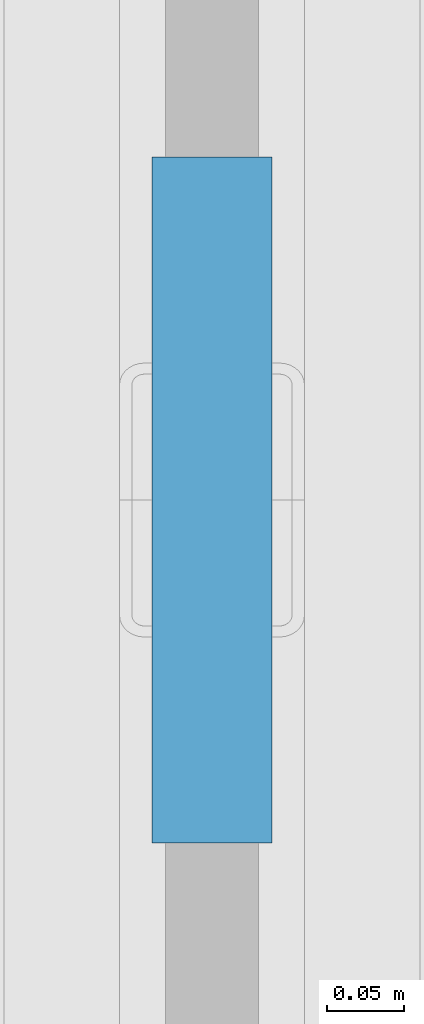
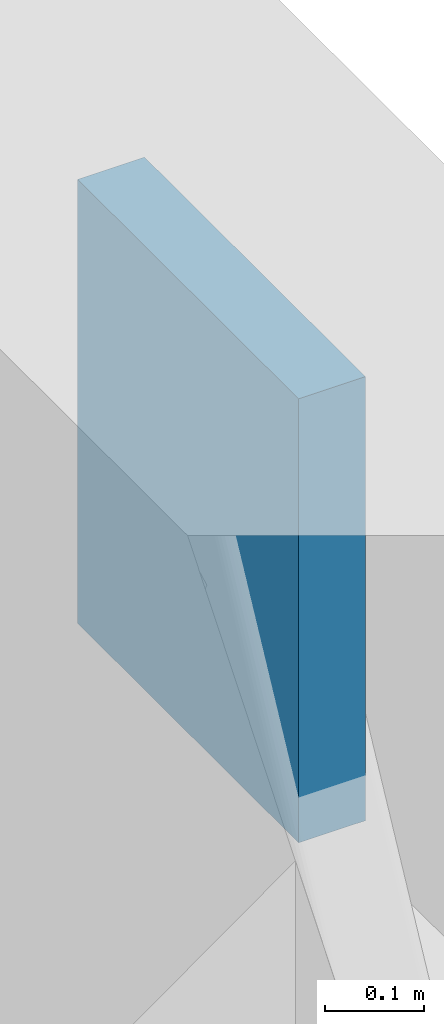
# One storey, part 73 of 102: 1 plate.
"""IFC4 building model written with IfcOpenShell, lengths in metres."""

from ifc_helpers import new_model, si_unit, direction, frame, origin, origin_2d, place, context, subcontext, project, spatial, rectangle, extrude, material, layer, layer_set, type_object, element, save


model = new_model("IFC4")

# Units and contexts
model_context = context("Model", 3, precision=1e-05, world=origin(), true_north=direction((0.0, 1.0)))
body_context = subcontext(model_context, "Body", "Model", "MODEL_VIEW")
ifc_project = project(units=[si_unit("LENGTHUNIT", "METRE"), si_unit("AREAUNIT", "SQUARE_METRE"), si_unit("VOLUMEUNIT", "CUBIC_METRE"), si_unit("PLANEANGLEUNIT", "RADIAN"), si_unit("MASSUNIT", "GRAM", prefix="KILO")], contexts=[model_context])

# Site, building, storey
site_placement = place(None, origin())
site = spatial("IfcSite", under=ifc_project, at=site_placement, CompositionType="ELEMENT")
building_placement = place(site_placement, origin())
building = spatial("IfcBuilding", under=site, at=building_placement, Name="Kolvemor Railside Polytechnic", CompositionType="ELEMENT")
storey_placement = place(building_placement, origin())
storey = spatial("IfcBuildingStorey", under=building, at=storey_placement, Name="L00", CompositionType="ELEMENT", Elevation=0.0)

# Plate
ifc_material = material(Name="Steel S355", Category="steel")
ifc_layer = layer(ifc_material, 0.077880859375, Name="PLT-GUSSET-7")
ifc_layer_set = layer_set([ifc_layer], Name="Steel S355")
plate_type = type_object("IfcPlateType", Name="PLT-GUSSET-7", PredefinedType="USERDEFINED", material=ifc_layer_set)
plate_placement = place(storey_placement, frame((182.39990234375, 79.199951171875, 4.537109375), z_axis=(0.0, 0.0, 1.0), x_axis=(0.0, 1.0, 0.0)))
element("IfcPlate", 1, at=plate_placement, inside=storey, type_object=plate_type, Name="Brace Chevron Gusset Plate GP-BR07", ObjectType="GUSSET PLATE", PredefinedType="USERDEFINED", context=body_context, shape_type="SweptSolid", body=[
    extrude(rectangle(XDim=0.445068359375, YDim=0.077880859375, at=origin_2d()), origin(), (0.0, 0.0, 1.0), 0.5458984375),
])

save(model, "model.ifc")
